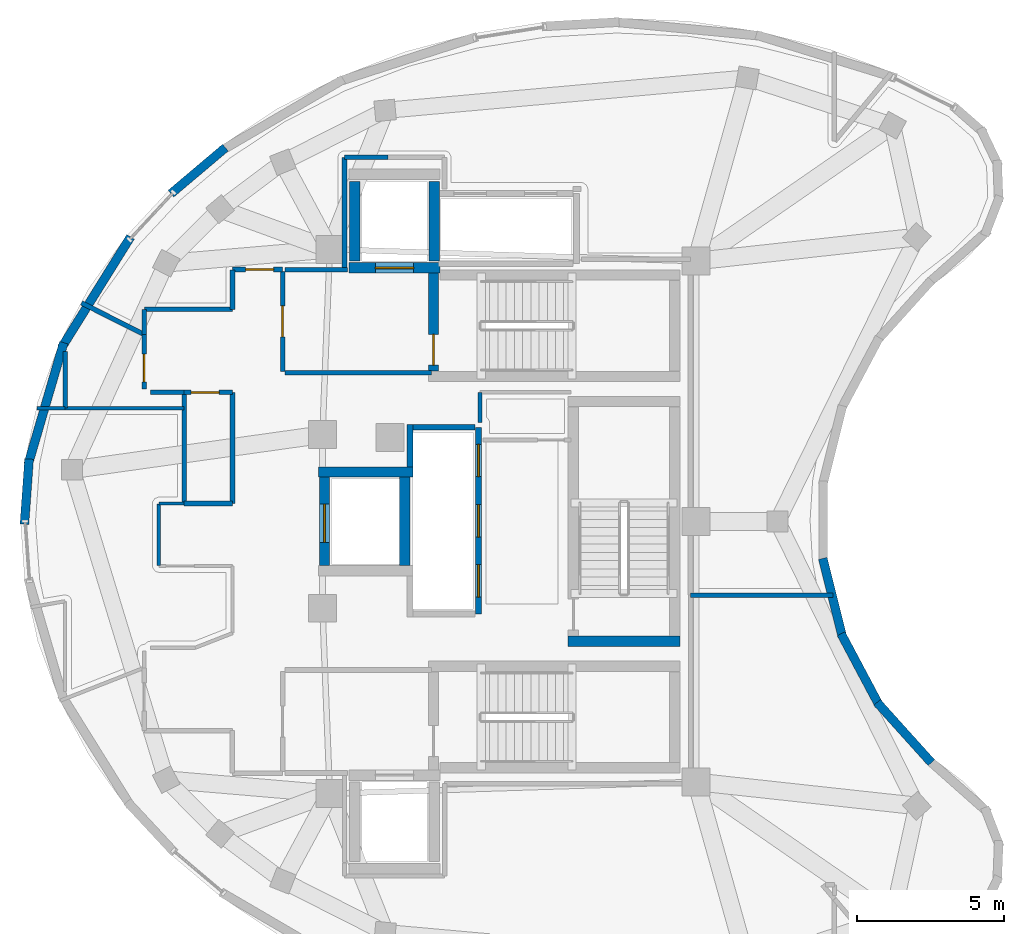
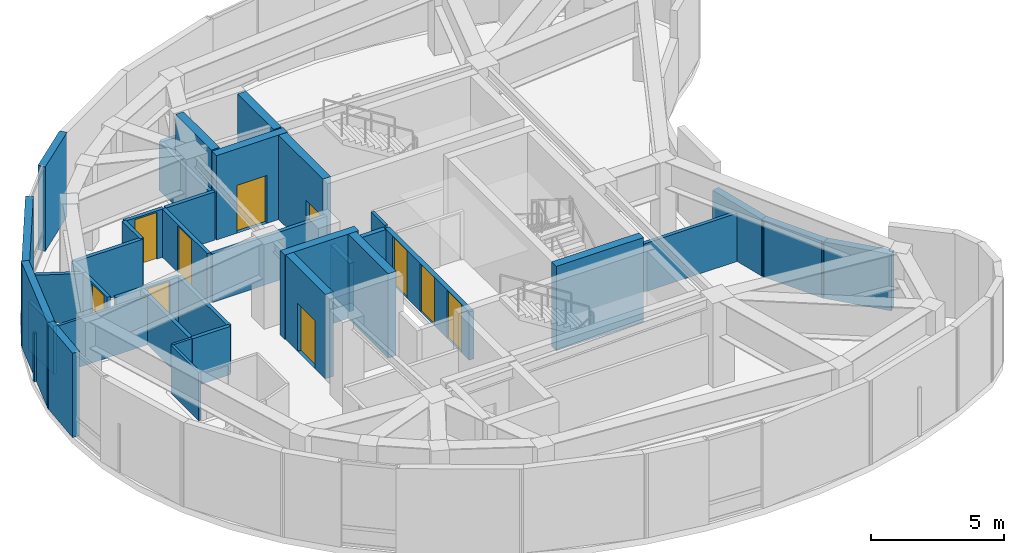
# One storey, part 4 of 8: 41 walls, 10 doors, 10 openings.
"""IFC4 building model written with IfcOpenShell, lengths in metres."""

from ifc_helpers import new_model, si_unit, direction, frame, frame_2d, origin, place, context, subcontext, project, spatial, rectangle, extrude, material, layer, layer_set, type_object, element, fill, save


model = new_model("IFC4")

# Units and contexts
model_context = context("Model", 3, precision=1e-05, world=origin(), true_north=direction((0.0, 1.0)))
body_context = subcontext(model_context, "Body", "Model", "MODEL_VIEW")
ifc_project = project(units=[si_unit("LENGTHUNIT", "METRE"), si_unit("AREAUNIT", "SQUARE_METRE"), si_unit("VOLUMEUNIT", "CUBIC_METRE"), si_unit("PLANEANGLEUNIT", "RADIAN"), si_unit("MASSUNIT", "GRAM", prefix="KILO")], contexts=[model_context])

# Site, building, storey
site_placement = place(None, origin())
site = spatial("IfcSite", under=ifc_project, at=site_placement, CompositionType="ELEMENT")
building_placement = place(site_placement, origin())
building = spatial("IfcBuilding", under=site, at=building_placement, Name="Korentha Bioscience Tower", CompositionType="ELEMENT")
storey_placement = place(building_placement, frame((0.0, 0.0, 331.199951171875)))
storey = spatial("IfcBuildingStorey", under=building, at=storey_placement, Name="L76", CompositionType="ELEMENT", Elevation=331.199951171875)

# Wall, opening, door
ifc_material_1 = material(Name="Double-Stud Acoustic Gypsum", Category="gypsum")
ifc_layer_1 = layer(ifc_material_1, 0.14990234375, Name="Double-Stud Acoustic Gypsum")
ifc_layer_set_1 = layer_set([ifc_layer_1], Name="Double-Stud Acoustic Gypsum (IW-L150)")
wall_type_1 = type_object("IfcWallType", Name="Acoustic Laboratory Partition Wall 150", PredefinedType="PARTITIONING", material=ifc_layer_set_1)
wall_1_placement = place(storey_placement, frame((18.7900390625, 33.34912109375, 0.0), z_axis=(0.0, 0.0, 1.0), x_axis=(0.0, -1.0, 0.0)))
wall_1 = element("IfcWall", 1, at=wall_1_placement, inside=storey, type_object=wall_type_1, Name="L76 Biomechanical Motion Analysis Lab 04 Entrance Wall", PredefinedType="PARTITIONING", context=body_context, shape_type="SweptSolid", body=[
    extrude(rectangle(XDim=1.84912109375, YDim=0.14990234375, at=frame_2d((0.924560546875, 0.0))), origin(), (0.0, 0.0, 1.0), 2.219970703125),
])
opening_1_placement = place(wall_1_placement, frame((0.658935546875, 0.0, 0.0)))
opening_1 = element("IfcOpeningElement", 2, at=opening_1_placement, cuts=wall_1, Name="Opening ID-10R", PredefinedType="OPENING", context=body_context, shape_type="SweptSolid", body=[
    extrude(rectangle(XDim=0.949951171875, YDim=2.14990234375, at=frame_2d((0.47509765625, 1.074951171875))), frame((0.0, 0.08984375, 0.0), z_axis=(0.0, -1.0, 0.0), x_axis=(1.0, 0.0, 0.0)), (0.0, 0.0, 1.0), 0.1796875),
])
ifc_material_2 = material(Name="Phenolic Laminate Timber Core", Category="wood")
door_type_1 = type_object("IfcDoorType", Name="Laboratory Single Leaf Door 950x2150 Right", OperationType="SINGLE_SWING_RIGHT", PredefinedType="DOOR", material=ifc_material_2)
door_1_placement = place(opening_1_placement, origin())
door_1 = element("IfcDoor", 3, at=door_1_placement, inside=storey, type_object=door_type_1, Name="L76 Biomechanical Motion Analysis Lab 04 Door", OperationType="SINGLE_SWING_RIGHT", OverallHeight=2.14990234375, OverallWidth=0.949951171875, PredefinedType="DOOR", context=body_context, shape_type="SweptSolid", body=[
    extrude(rectangle(XDim=0.949951171875, YDim=2.14990234375, at=frame_2d((0.47509765625, 1.074951171875))), frame((0.0, 0.02490234375, 0.0), z_axis=(0.0, -1.0, 0.0), x_axis=(1.0, 0.0, 0.0)), (0.0, 0.0, 1.0), 0.050048828125),
])
fill(opening_1, door_1)

# Walls
wall_2_placement = place(storey_placement, frame((37.360107421875, 24.498046875, 0.0), z_axis=(0.0, 0.0, 1.0), x_axis=(1.0, 0.0, 0.0)))
element("IfcWall", 4, at=wall_2_placement, inside=storey, type_object=wall_type_1, Name="L76 Interior Partition 030", PredefinedType="PARTITIONING", context=body_context, shape_type="SweptSolid", body=[
    extrude(rectangle(XDim=4.84765625, YDim=0.14990234375, at=frame_2d((2.423828125, 0.0))), origin(), (0.0, 0.0, 1.0), 2.219970703125),
])
wall_3_placement = place(storey_placement, frame((19.0, 31.389892578125, 0.0), z_axis=(0.0, 0.0, 1.0), x_axis=(1.0, 0.0, 0.0)))
element("IfcWall", 5, at=wall_3_placement, inside=storey, type_object=wall_type_1, Name="L76 Interior Partition 052", PredefinedType="PARTITIONING", context=body_context, shape_type="SweptSolid", body=[
    extrude(rectangle(XDim=1.139892578125, YDim=0.14990234375, at=frame_2d((0.56982421875, 0.0))), origin(), (0.0, 0.0, 1.0), 2.219970703125),
])
wall_4_placement = place(storey_placement, frame((16.10205078125, 30.85791015625, 0.0), z_axis=(0.0, 0.0, 1.0), x_axis=(0.0, 1.0, 0.0)))
element("IfcWall", 6, at=wall_4_placement, inside=storey, type_object=wall_type_1, Name="L76 Interior Partition 053", PredefinedType="PARTITIONING", context=body_context, shape_type="SweptSolid", body=[
    extrude(rectangle(XDim=1.91552734375, YDim=0.14990234375, at=frame_2d((0.957763671875, 0.0))), origin(), (0.0, 0.0, 1.0), 2.219970703125),
])
ifc_material_3 = material(Name="Fire-Rated Framed Glass", Category="glass")
ifc_layer_2 = layer(ifc_material_3, 0.110107421875, Name="Fire-Rated Framed Glass")
ifc_layer_set_2 = layer_set([ifc_layer_2], Name="Fire-Rated Framed Glass (IW-G110)")
wall_type_2 = type_object("IfcWallType", Name="Demountable Glazed Office Partition 110", PredefinedType="MOVABLE", material=ifc_layer_set_2)
wall_5_placement = place(storey_placement, frame((15.151611328125, 30.847900390625, 0.0), z_axis=(0.0, 0.0, 1.0), x_axis=(1.0, 0.0, 0.0)))
element("IfcWall", 7, at=wall_5_placement, inside=storey, type_object=wall_type_2, Name="L76 Interior Partition 013", PredefinedType="MOVABLE", context=body_context, shape_type="SweptSolid", body=[
    extrude(rectangle(XDim=0.9462890625, YDim=0.110107421875, at=frame_2d((0.47314453125, 0.0))), origin(), (0.0, 0.0, 1.0), 2.219970703125),
])
wall_6_placement = place(storey_placement, frame((16.10205078125, 30.847900390625, 0.0), z_axis=(0.0, 0.0, 1.0), x_axis=(1.0, 0.0, 0.0)))
element("IfcWall", 8, at=wall_6_placement, inside=storey, type_object=wall_type_2, Name="L76 Interior Partition 014", PredefinedType="MOVABLE", context=body_context, shape_type="SweptSolid", body=[
    extrude(rectangle(XDim=4.037841796875, YDim=0.110107421875, at=frame_2d((2.01904296875, 0.0))), origin(), (0.0, 0.0, 1.0), 2.219970703125),
])
wall_7_placement = place(storey_placement, frame((20.139892578125, 27.610107421875, 0.0), z_axis=(0.0, 0.0, 1.0), x_axis=(-1.0, 0.0, 0.0)))
element("IfcWall", 9, at=wall_7_placement, inside=storey, type_object=wall_type_2, Name="L76 Interior Partition 015", PredefinedType="MOVABLE", context=body_context, shape_type="SweptSolid", body=[
    extrude(rectangle(XDim=0.83984375, YDim=0.110107421875, at=frame_2d((0.419921875, 0.0))), origin(), (0.0, 0.0, 1.0), 2.219970703125),
])
wall_8_placement = place(storey_placement, frame((19.2900390625, 27.60009765625, 0.0), z_axis=(0.0, 0.0, 1.0), x_axis=(0.0, -1.0, 0.0)))
element("IfcWall", 10, at=wall_8_placement, inside=storey, type_object=wall_type_2, Name="L76 Interior Partition 016", PredefinedType="MOVABLE", context=body_context, shape_type="SweptSolid", body=[
    extrude(rectangle(XDim=2.10009765625, YDim=0.110107421875, at=frame_2d((1.050048828125, 0.0))), origin(), (0.0, 0.0, 1.0), 2.219970703125),
])

# Wall, opening, door
ifc_material_4 = material(Name="Gypsum-Clad Steel Stud", Category="steel")
ifc_layer_3 = layer(ifc_material_4, 0.159912109375, Name="Gypsum-Clad Steel Stud")
ifc_layer_set_3 = layer_set([ifc_layer_3], Name="Gypsum-Clad Steel Stud (IW-C160)")
wall_type_3 = type_object("IfcWallType", Name="Fire-Rated Corridor Partition Wall 160", PredefinedType="PARTITIONING", material=ifc_layer_set_3)
wall_9_placement = place(storey_placement, frame((23.5, 32.10009765625, 0.0), z_axis=(0.0, 0.0, 1.0), x_axis=(0.0, 1.0, 0.0)))
wall_9 = element("IfcWall", 11, at=wall_9_placement, inside=storey, type_object=wall_type_3, Name="L76 FFLN-CW Rated Enclosure Wall", PredefinedType="PARTITIONING", context=body_context, shape_type="SweptSolid", body=[
    extrude(rectangle(XDim=3.39990234375, YDim=0.159912109375, at=frame_2d((1.699951171875, 0.0))), origin(), (0.0, 0.0, 1.0), 2.219970703125),
])
opening_2_placement = place(wall_9_placement, frame((1.175048828125, 0.0, 0.0)))
opening_2 = element("IfcOpeningElement", 12, at=opening_2_placement, cuts=wall_9, Name="Opening FD-90L", PredefinedType="OPENING", context=body_context, shape_type="SweptSolid", body=[
    extrude(rectangle(XDim=1.050048828125, YDim=2.14990234375, at=frame_2d((0.52490234375, 1.074951171875))), frame((0.0, 0.0947265625, 0.0), z_axis=(0.0, -1.0, 0.0), x_axis=(1.0, 0.0, 0.0)), (0.0, 0.0, 1.0), 0.189697265625),
])
ifc_material_5 = material(Name="Powder-Coated Fire-Rated Steel", Category="steel")
door_type_2 = type_object("IfcDoorType", Name="Stairwell Fire Exit Door 1050x2150 Left", OperationType="SINGLE_SWING_LEFT", PredefinedType="DOOR", material=ifc_material_5)
door_2_placement = place(opening_2_placement, origin())
door_2 = element("IfcDoor", 13, at=door_2_placement, inside=storey, type_object=door_type_2, Name="L76 North Firefighting Lobby Door", OperationType="SINGLE_SWING_LEFT", OverallHeight=2.14990234375, OverallWidth=1.050048828125, PredefinedType="DOOR", context=body_context, shape_type="SweptSolid", body=[
    extrude(rectangle(XDim=1.050048828125, YDim=2.14990234375, at=frame_2d((0.52490234375, 1.074951171875))), frame((0.0, 0.02490234375, 0.0), z_axis=(0.0, -1.0, 0.0), x_axis=(1.0, 0.0, 0.0)), (0.0, 0.0, 1.0), 0.050048828125),
])
fill(opening_2, door_2)

# Walls
wall_10_placement = place(storey_placement, frame((23.580078125, 32.050048828125, 0.0), z_axis=(0.0, 0.0, 1.0), x_axis=(1.0, 0.0, 0.0)))
element("IfcWall", 14, at=wall_10_placement, inside=storey, type_object=wall_type_3, Name="L76 Firefighting Lobby Return Wall FFLN-S", PredefinedType="PARTITIONING", context=body_context, shape_type="SweptSolid", body=[
    extrude(rectangle(XDim=4.969970703125, YDim=0.159912109375, at=frame_2d((2.48486328125, 0.0))), origin(), (0.0, 0.0, 1.0), 2.219970703125),
])
wall_11_placement = place(storey_placement, frame((23.580078125, 35.550048828125, 0.0), z_axis=(0.0, 0.0, 1.0), x_axis=(1.0, 0.0, 0.0)))
element("IfcWall", 15, at=wall_11_placement, inside=storey, type_object=wall_type_3, Name="L76 Firefighting Lobby Return Wall FFLN-N", PredefinedType="PARTITIONING", context=body_context, shape_type="SweptSolid", body=[
    extrude(rectangle(XDim=2.119873046875, YDim=0.159912109375, at=frame_2d((1.06005859375, 0.0))), origin(), (0.0, 0.0, 1.0), 2.219970703125),
])

# Wall, opening, door
wall_12_placement = place(storey_placement, frame((20.14990234375, 31.389892578125, 0.0), z_axis=(0.0, 0.0, 1.0), x_axis=(1.0, 0.0, 0.0)))
wall_12 = element("IfcWall", 16, at=wall_12_placement, inside=storey, type_object=wall_type_3, Name="L76 Reclaimed Bank-2 Telecoms and Data Store Entrance Wall", PredefinedType="PARTITIONING", context=body_context, shape_type="SweptSolid", body=[
    extrude(rectangle(XDim=1.64013671875, YDim=0.159912109375, at=frame_2d((0.820068359375, 0.0))), origin(), (0.0, 0.0, 1.0), 2.219970703125),
])
opening_3_placement = place(wall_12_placement, frame((0.239990234375, 0.0, 0.0)))
opening_3 = element("IfcOpeningElement", 17, at=opening_3_placement, cuts=wall_12, Name="Opening ID-10R", PredefinedType="OPENING", context=body_context, shape_type="SweptSolid", body=[
    extrude(rectangle(XDim=0.949951171875, YDim=2.14990234375, at=frame_2d((0.47509765625, 1.074951171875))), frame((0.0, 0.0947265625, 0.0), z_axis=(0.0, -1.0, 0.0), x_axis=(1.0, 0.0, 0.0)), (0.0, 0.0, 1.0), 0.189697265625),
])
door_3_placement = place(opening_3_placement, origin())
door_3 = element("IfcDoor", 18, at=door_3_placement, inside=storey, type_object=door_type_1, Name="L76 Reclaimed Bank-2 Telecoms and Data Store Door", OperationType="SINGLE_SWING_RIGHT", OverallHeight=2.14990234375, OverallWidth=0.949951171875, PredefinedType="DOOR", context=body_context, shape_type="SweptSolid", body=[
    extrude(rectangle(XDim=0.949951171875, YDim=2.14990234375, at=frame_2d((0.47509765625, 1.074951171875))), frame((0.0, 0.02490234375, 0.0), z_axis=(0.0, -1.0, 0.0), x_axis=(1.0, 0.0, 0.0)), (0.0, 0.0, 1.0), 0.050048828125),
])
fill(opening_3, door_3)

wall_13_placement = place(storey_placement, frame((23.489990234375, 35.56005859375, 0.0), z_axis=(0.0, 0.0, 1.0), x_axis=(-1.0, 0.0, 0.0)))
wall_13 = element("IfcWall", 19, at=wall_13_placement, inside=storey, type_object=wall_type_3, Name="L76 Biospecimen Archive Store 03 Entrance Wall", PredefinedType="PARTITIONING", context=body_context, shape_type="SweptSolid", body=[
    extrude(rectangle(XDim=1.68994140625, YDim=0.159912109375, at=frame_2d((0.844970703125, 0.0))), origin(), (0.0, 0.0, 1.0), 2.219970703125),
])
opening_4_placement = place(wall_13_placement, frame((0.301513671875, 0.0, 0.0)))
opening_4 = element("IfcOpeningElement", 20, at=opening_4_placement, cuts=wall_13, Name="Opening ID-10L", PredefinedType="OPENING", context=body_context, shape_type="SweptSolid", body=[
    extrude(rectangle(XDim=0.949951171875, YDim=2.14990234375, at=frame_2d((0.47509765625, 1.074951171875))), frame((0.0, 0.0947265625, 0.0), z_axis=(0.0, -1.0, 0.0), x_axis=(1.0, 0.0, 0.0)), (0.0, 0.0, 1.0), 0.189697265625),
])
door_type_3 = type_object("IfcDoorType", Name="Laboratory Single Leaf Door 950x2150 Left", OperationType="SINGLE_SWING_LEFT", PredefinedType="DOOR", material=ifc_material_2)
door_4_placement = place(opening_4_placement, origin())
door_4 = element("IfcDoor", 21, at=door_4_placement, inside=storey, type_object=door_type_3, Name="L76 Biospecimen Archive Store 03 Door", OperationType="SINGLE_SWING_LEFT", OverallHeight=2.14990234375, OverallWidth=0.949951171875, PredefinedType="DOOR", context=body_context, shape_type="SweptSolid", body=[
    extrude(rectangle(XDim=0.949951171875, YDim=2.14990234375, at=frame_2d((0.47509765625, 1.074951171875))), frame((0.0, 0.02490234375, 0.0), z_axis=(0.0, -1.0, 0.0), x_axis=(1.0, 0.0, 0.0)), (0.0, 0.0, 1.0), 0.050048828125),
])
fill(opening_4, door_4)

# Walls
wall_14_placement = place(storey_placement, frame((21.7900390625, 31.389892578125, 0.0), z_axis=(0.0, 0.0, 1.0), x_axis=(0.0, -1.0, 0.0)))
element("IfcWall", 22, at=wall_14_placement, inside=storey, type_object=wall_type_3, Name="L76 Interior Partition 010", PredefinedType="PARTITIONING", context=body_context, shape_type="SweptSolid", body=[
    extrude(rectangle(XDim=3.77978515625, YDim=0.159912109375, at=frame_2d((1.889892578125, 0.0))), origin(), (0.0, 0.0, 1.0), 2.219970703125),
])
wall_15_placement = place(storey_placement, frame((21.7900390625, 27.610107421875, 0.0), z_axis=(0.0, 0.0, 1.0), x_axis=(-1.0, 0.0, 0.0)))
element("IfcWall", 23, at=wall_15_placement, inside=storey, type_object=wall_type_3, Name="L76 Interior Partition 011", PredefinedType="PARTITIONING", context=body_context, shape_type="SweptSolid", body=[
    extrude(rectangle(XDim=1.64013671875, YDim=0.159912109375, at=frame_2d((0.820068359375, 0.0))), origin(), (0.0, 0.0, 1.0), 2.219970703125),
])
wall_16_placement = place(storey_placement, frame((20.14990234375, 27.610107421875, 0.0), z_axis=(0.0, 0.0, 1.0), x_axis=(0.0, 1.0, 0.0)))
element("IfcWall", 24, at=wall_16_placement, inside=storey, type_object=wall_type_3, Name="L76 Interior Partition 012", PredefinedType="PARTITIONING", context=body_context, shape_type="SweptSolid", body=[
    extrude(rectangle(XDim=3.77978515625, YDim=0.159912109375, at=frame_2d((1.889892578125, 0.0))), origin(), (0.0, 0.0, 1.0), 2.219970703125),
])
wall_17_placement = place(storey_placement, frame((27.073486328125, 39.3798828125, 0.0), z_axis=(0.0, 0.0, 1.0), x_axis=(-1.0, 0.0, 0.0)))
element("IfcWall", 25, at=wall_17_placement, inside=storey, type_object=wall_type_3, Name="L76 Interior Partition 046", PredefinedType="PARTITIONING", context=body_context, shape_type="SweptSolid", body=[
    extrude(rectangle(XDim=1.469482421875, YDim=0.159912109375, at=frame_2d((0.73486328125, 0.0))), origin(), (0.0, 0.0, 1.0), 2.219970703125),
])
wall_18_placement = place(storey_placement, frame((25.60009765625, 39.3759765625, 0.0), z_axis=(0.0, 0.0, 1.0), x_axis=(0.0, -1.0, 0.0)))
element("IfcWall", 26, at=wall_18_placement, inside=storey, type_object=wall_type_3, Name="L76 Interior Partition 047", PredefinedType="PARTITIONING", context=body_context, shape_type="SweptSolid", body=[
    extrude(rectangle(XDim=3.811767578125, YDim=0.159912109375, at=frame_2d((1.90576171875, 0.0))), origin(), (0.0, 0.0, 1.0), 2.219970703125),
])
wall_19_placement = place(storey_placement, frame((21.7900390625, 35.550048828125, 0.0), z_axis=(0.0, 0.0, 1.0), x_axis=(0.0, -1.0, 0.0)))
element("IfcWall", 27, at=wall_19_placement, inside=storey, type_object=wall_type_3, Name="L76 Interior Partition 048", PredefinedType="PARTITIONING", context=body_context, shape_type="SweptSolid", body=[
    extrude(rectangle(XDim=1.340087890625, YDim=0.159912109375, at=frame_2d((0.669921875, 0.0))), origin(), (0.0, 0.0, 1.0), 2.219970703125),
])
wall_20_placement = place(storey_placement, frame((21.7900390625, 34.2099609375, 0.0), z_axis=(0.0, 0.0, 1.0), x_axis=(-1.0, 0.0, 0.0)))
element("IfcWall", 28, at=wall_20_placement, inside=storey, type_object=wall_type_3, Name="L76 Interior Partition 049", PredefinedType="PARTITIONING", context=body_context, shape_type="SweptSolid", body=[
    extrude(rectangle(XDim=2.989990234375, YDim=0.159912109375, at=frame_2d((1.4951171875, 0.0))), origin(), (0.0, 0.0, 1.0), 2.219970703125),
])
wall_21_placement = place(storey_placement, frame((18.7900390625, 34.199951171875, 0.0), z_axis=(0.0, 0.0, 1.0), x_axis=(0.0, -1.0, 0.0)))
element("IfcWall", 29, at=wall_21_placement, inside=storey, type_object=wall_type_3, Name="L76 Interior Partition 050", PredefinedType="PARTITIONING", context=body_context, shape_type="SweptSolid", body=[
    extrude(rectangle(XDim=0.841064453125, YDim=0.159912109375, at=frame_2d((0.42041015625, 0.0))), origin(), (0.0, 0.0, 1.0), 2.219970703125),
])
wall_22_placement = place(storey_placement, frame((18.7900390625, 33.35888671875, 0.0), z_axis=(0.0, 0.0, 1.0), x_axis=(-0.894139633637, 0.447788248572, 0.0)))
element("IfcWall", 30, at=wall_22_placement, inside=storey, type_object=wall_type_3, Name="L76 Interior Partition 051", PredefinedType="PARTITIONING", context=body_context, shape_type="SweptSolid", body=[
    extrude(rectangle(XDim=2.378662109375, YDim=0.159912109375, at=frame_2d((1.189453125, 0.0))), origin(), (0.0, 0.0, 1.0), 2.219970703125),
])
ifc_material_6 = material(Name="Honed Limestone Precast Concrete C40", Category="masonry")
ifc_layer_4 = layer(ifc_material_6, 0.300048828125, Name="Honed Limestone Precast Concrete C40")
ifc_layer_set_4 = layer_set([ifc_layer_4], Name="Honed Limestone Precast Concrete C40 (EW-ST300)")
wall_type_4 = type_object("IfcWallType", Name="Honed Limestone Cavity Spandrel Wall 300", PredefinedType="STANDARD", material=ifc_layer_set_4)
wall_23_placement = place(storey_placement, frame((21.552001953125, 39.7041015625, 0.0), z_axis=(0.0, 0.0, 1.0), x_axis=(-0.763990157272, -0.645227897406, 0.0)))
element("IfcWall", 31, at=wall_23_placement, inside=storey, type_object=wall_type_4, Name="L76 Limestone Perimeter Closure Wall 12", PredefinedType="STANDARD", context=body_context, shape_type="SweptSolid", body=[
    extrude(rectangle(XDim=2.421630859375, YDim=0.300048828125, at=frame_2d((1.2109375, 0.0))), origin(), (0.0, 0.0, 1.0), 3.880126953125),
])
wall_24_placement = place(storey_placement, frame((18.327392578125, 36.67138671875, 0.0), z_axis=(0.0, 0.0, 1.0), x_axis=(-0.528532323195, -0.848913177739, 0.0)))
element("IfcWall", 32, at=wall_24_placement, inside=storey, type_object=wall_type_4, Name="L76 Limestone Perimeter Closure Wall 14", PredefinedType="STANDARD", context=body_context, shape_type="SweptSolid", body=[
    extrude(rectangle(XDim=4.446533203125, YDim=0.300048828125, at=frame_2d((2.22314453125, 0.0))), origin(), (0.0, 0.0, 1.0), 3.880126953125),
])
wall_25_placement = place(storey_placement, frame((16.057373046875, 33.076171875, 0.0), z_axis=(0.0, 0.0, 1.0), x_axis=(-0.280777958988, -0.95977275318, 0.0)))
element("IfcWall", 33, at=wall_25_placement, inside=storey, type_object=wall_type_4, Name="L76 Limestone Perimeter Closure Wall 16", PredefinedType="STANDARD", context=body_context, shape_type="SweptSolid", body=[
    extrude(rectangle(XDim=4.313720703125, YDim=0.300048828125, at=frame_2d((2.15673828125, 0.0))), origin(), (0.0, 0.0, 1.0), 3.880126953125),
])
wall_26_placement = place(storey_placement, frame((14.879638671875, 29.1220703125, 0.0), z_axis=(0.0, 0.0, 1.0), x_axis=(-0.071669526478, -0.997428433009, 0.0)))
element("IfcWall", 34, at=wall_26_placement, inside=storey, type_object=wall_type_4, Name="L76 Limestone Perimeter Closure Wall 18", PredefinedType="STANDARD", context=body_context, shape_type="SweptSolid", body=[
    extrude(rectangle(XDim=2.217529296875, YDim=0.300048828125, at=frame_2d((1.10888671875, 0.0))), origin(), (0.0, 0.0, 1.0), 3.880126953125),
])
for number, where, z_axis, x_axis, name in (
    (35, (45.54638671875, 18.801025390625, 0.0), (0.0, 0.0, 1.0), (-0.669140756205, 0.743135686389, 0.0), "L76 Limestone Perimeter Closure Wall 43"),
    (36, (43.772216796875, 20.748779296875, 0.0), (0.0, 0.0, 1.0), (-0.46944856532, 0.882959820444, 0.0), "L76 Limestone Perimeter Closure Wall 45"),
):
    element("IfcWall", number, at=place(storey_placement, frame(where, z_axis=z_axis, x_axis=x_axis)), inside=storey, type_object=wall_type_4, Name=name, PredefinedType="STANDARD", context=body_context, shape_type="SweptSolid", body=[
        extrude(rectangle(XDim=2.75830078125, YDim=0.300048828125, at=frame_2d((1.379150390625, 0.0))), origin(), (0.0, 0.0, 1.0), 2.60498046875),
    ])
wall_27_placement = place(storey_placement, frame((42.52197265625, 23.068115234375, 0.0), z_axis=(0.0, 0.0, 1.0), x_axis=(-0.241973315743, 0.970282904347, 0.0)))
element("IfcWall", 37, at=wall_27_placement, inside=storey, type_object=wall_type_4, Name="L76 Limestone Perimeter Closure Wall 47", PredefinedType="STANDARD", context=body_context, shape_type="SweptSolid", body=[
    extrude(rectangle(XDim=2.758544921875, YDim=0.300048828125, at=frame_2d((1.37939453125, 0.0))), origin(), (0.0, 0.0, 1.0), 2.60498046875),
])
ifc_material_7 = material(Name="Autoclaved Aerated Concrete Block C25", Category="concrete")
ifc_layer_5 = layer(ifc_material_7, 0.199951171875, Name="Autoclaved Aerated Concrete Block C25")
ifc_layer_set_5 = layer_set([ifc_layer_5], Name="Autoclaved Aerated Concrete Block C25 (IW-S200)")
wall_type_5 = type_object("IfcWallType", Name="Lift and Riser Shaft Enclosure Wall 200", PredefinedType="PARTITIONING", material=ifc_layer_set_5)
wall_28_placement = place(storey_placement, frame((27.830078125, 28.85888671875, 0.0), z_axis=(0.0, 0.0, 1.0), x_axis=(0.0, 1.0, 0.0)))
element("IfcWall", 38, at=wall_28_placement, inside=storey, type_object=wall_type_5, Name="L76 Lift Bank HIGH Shaft Wall -XN", PredefinedType="PARTITIONING", context=body_context, shape_type="SweptSolid", body=[
    extrude(rectangle(XDim=1.441162109375, YDim=0.199951171875, at=frame_2d((0.720703125, 0.0))), origin(), (0.0, 0.0, 1.0), 2.219970703125),
])

# Wall, openings, doors
wall_29_placement = place(storey_placement, frame((30.14990234375, 23.85009765625, 0.0), z_axis=(0.0, 0.0, 1.0), x_axis=(0.0, 1.0, 0.0)))
wall_29 = element("IfcWall", 39, at=wall_29_placement, inside=storey, type_object=wall_type_5, Name="L76 Lift Bank HIGH Shaft Wall +X", PredefinedType="PARTITIONING", context=body_context, shape_type="SweptSolid", body=[
    extrude(rectangle(XDim=6.349853515625, YDim=0.199951171875, at=frame_2d((3.1748046875, 0.0))), origin(), (0.0, 0.0, 1.0), 2.219970703125),
])
opening_5_placement = place(wall_29_placement, frame((0.580078125, 0.0, 0.0)))
opening_5 = element("IfcOpeningElement", 40, at=opening_5_placement, cuts=wall_29, Name="Opening LD-11", PredefinedType="OPENING", context=body_context, shape_type="SweptSolid", body=[
    extrude(rectangle(XDim=1.10009765625, YDim=2.199951171875, at=frame_2d((0.550048828125, 1.10009765625))), frame((0.0, 0.11474609375, 0.0), z_axis=(0.0, -1.0, 0.0), x_axis=(1.0, 0.0, 0.0)), (0.0, 0.0, 1.0), 0.229736328125),
])
opening_6_placement = place(wall_29_placement, frame((2.6201171875, 0.0, 0.0)))
opening_6 = element("IfcOpeningElement", 41, at=opening_6_placement, cuts=wall_29, Name="Opening LD-11", PredefinedType="OPENING", context=body_context, shape_type="SweptSolid", body=[
    extrude(rectangle(XDim=1.10009765625, YDim=2.199951171875, at=frame_2d((0.550048828125, 1.10009765625))), frame((0.0, 0.11474609375, 0.0), z_axis=(0.0, -1.0, 0.0), x_axis=(1.0, 0.0, 0.0)), (0.0, 0.0, 1.0), 0.229736328125),
])
opening_7_placement = place(wall_29_placement, frame((4.669921875, 0.0, 0.0)))
opening_7 = element("IfcOpeningElement", 42, at=opening_7_placement, cuts=wall_29, Name="Opening LD-11", PredefinedType="OPENING", context=body_context, shape_type="SweptSolid", body=[
    extrude(rectangle(XDim=1.10009765625, YDim=2.199951171875, at=frame_2d((0.550048828125, 1.10009765625))), frame((0.0, 0.11474609375, 0.0), z_axis=(0.0, -1.0, 0.0), x_axis=(1.0, 0.0, 0.0)), (0.0, 0.0, 1.0), 0.229736328125),
])
ifc_material_8 = material(Name="Brushed Stainless Steel 304", Category="steel")
door_type_4 = type_object("IfcDoorType", Name="Passenger Lift Sliding Landing Door 1100x2200", OperationType="DOUBLE_DOOR_SLIDING", PredefinedType="DOOR", material=ifc_material_8)
door_5_placement = place(opening_5_placement, origin())
door_5 = element("IfcDoor", 43, at=door_5_placement, inside=storey, type_object=door_type_4, Name="L76 PL-H1 Sliding Lift Landing Door", OperationType="DOUBLE_DOOR_SLIDING", OverallHeight=2.199951171875, OverallWidth=1.10009765625, PredefinedType="DOOR", context=body_context, shape_type="SweptSolid", body=[
    extrude(rectangle(XDim=1.10009765625, YDim=2.199951171875, at=frame_2d((0.550048828125, 1.10009765625))), frame((0.0, 0.02490234375, 0.0), z_axis=(0.0, -1.0, 0.0), x_axis=(1.0, 0.0, 0.0)), (0.0, 0.0, 1.0), 0.050048828125),
])
fill(opening_5, door_5)
door_6_placement = place(opening_6_placement, origin())
door_6 = element("IfcDoor", 44, at=door_6_placement, inside=storey, type_object=door_type_4, Name="L76 PL-H2 Sliding Lift Landing Door", OperationType="DOUBLE_DOOR_SLIDING", OverallHeight=2.199951171875, OverallWidth=1.10009765625, PredefinedType="DOOR", context=body_context, shape_type="SweptSolid", body=[
    extrude(rectangle(XDim=1.10009765625, YDim=2.199951171875, at=frame_2d((0.550048828125, 1.10009765625))), frame((0.0, 0.02490234375, 0.0), z_axis=(0.0, -1.0, 0.0), x_axis=(1.0, 0.0, 0.0)), (0.0, 0.0, 1.0), 0.050048828125),
])
fill(opening_6, door_6)
door_7_placement = place(opening_7_placement, origin())
door_7 = element("IfcDoor", 45, at=door_7_placement, inside=storey, type_object=door_type_4, Name="L76 PL-H3 Sliding Lift Landing Door", OperationType="DOUBLE_DOOR_SLIDING", OverallHeight=2.199951171875, OverallWidth=1.10009765625, PredefinedType="DOOR", context=body_context, shape_type="SweptSolid", body=[
    extrude(rectangle(XDim=1.10009765625, YDim=2.199951171875, at=frame_2d((0.550048828125, 1.10009765625))), frame((0.0, 0.02490234375, 0.0), z_axis=(0.0, -1.0, 0.0), x_axis=(1.0, 0.0, 0.0)), (0.0, 0.0, 1.0), 0.050048828125),
])
fill(opening_7, door_7)

# Wall
wall_30_placement = place(storey_placement, frame((27.93408203125, 30.199951171875, 0.0), z_axis=(0.0, 0.0, 1.0), x_axis=(1.0, 0.0, 0.0)))
element("IfcWall", 46, at=wall_30_placement, inside=storey, type_object=wall_type_5, Name="L76 Lift Bank HIGH Shaft Wall +Y", PredefinedType="PARTITIONING", context=body_context, shape_type="SweptSolid", body=[
    extrude(rectangle(XDim=2.095947265625, YDim=0.199951171875, at=frame_2d((1.0478515625, 0.0))), origin(), (0.0, 0.0, 1.0), 2.219970703125),
])

# Wall, opening, door
ifc_material_9 = material(Name="Concrete C50", Category="concrete")
ifc_layer_6 = layer(ifc_material_9, 0.35009765625, Name="Concrete C50")
ifc_layer_set_6 = layer_set([ifc_layer_6], Name="Concrete C50 (CW-C50)")
wall_type_6 = type_object("IfcWallType", Name="Upper Core Shear Wall 350", PredefinedType="SHEAR", material=ifc_layer_set_6)
wall_31_placement = place(storey_placement, frame((28.625, 32.110107421875, 0.0), z_axis=(0.0, 0.0, 1.0), x_axis=(0.0, 1.0, 0.0)))
wall_31 = element("IfcWall", 47, at=wall_31_placement, inside=storey, type_object=wall_type_6, Name="L76 Core Shear Wall ST1-W", PredefinedType="SHEAR", context=body_context, shape_type="SweptSolid", body=[
    extrude(rectangle(XDim=3.3330078125, YDim=0.35009765625, at=frame_2d((1.66650390625, 0.0))), origin(), (0.0, 0.0, 1.0), 3.880126953125),
])
opening_8_placement = place(wall_31_placement, frame((0.199951171875, 0.0, 0.0)))
opening_8 = element("IfcOpeningElement", 48, at=opening_8_placement, cuts=wall_31, Name="Opening FD-90L", PredefinedType="OPENING", context=body_context, shape_type="SweptSolid", body=[
    extrude(rectangle(XDim=1.050048828125, YDim=2.14990234375, at=frame_2d((0.52490234375, 1.074951171875))), frame((0.0, 0.18994140625, 0.0), z_axis=(0.0, -1.0, 0.0), x_axis=(1.0, 0.0, 0.0)), (0.0, 0.0, 1.0), 0.3798828125),
])
door_8_placement = place(opening_8_placement, origin())
door_8 = element("IfcDoor", 49, at=door_8_placement, inside=storey, type_object=door_type_2, Name="L76 ST-1 Fire Exit Stair Door", OperationType="SINGLE_SWING_LEFT", OverallHeight=2.14990234375, OverallWidth=1.050048828125, PredefinedType="DOOR", context=body_context, shape_type="SweptSolid", body=[
    extrude(rectangle(XDim=1.050048828125, YDim=2.14990234375, at=frame_2d((0.52490234375, 1.074951171875))), frame((0.0, 0.02490234375, 0.0), z_axis=(0.0, -1.0, 0.0), x_axis=(1.0, 0.0, 0.0)), (0.0, 0.0, 1.0), 0.050048828125),
])
fill(opening_8, door_8)

# Wall
wall_32_placement = place(storey_placement, frame((33.199951171875, 22.925048828125, 0.0), z_axis=(0.0, 0.0, 1.0), x_axis=(1.0, 0.0, 0.0)))
element("IfcWall", 50, at=wall_32_placement, inside=storey, type_object=wall_type_6, Name="L76 Core Shear Wall ST3-S", PredefinedType="SHEAR", context=body_context, shape_type="SweptSolid", body=[
    extrude(rectangle(XDim=3.800048828125, YDim=0.35009765625, at=frame_2d((1.89990234375, 0.0))), origin(), (0.0, 0.0, 1.0), 3.880126953125),
])

# Wall, opening, door
wall_33_placement = place(storey_placement, frame((25.75, 35.6201171875, 0.0), z_axis=(0.0, 0.0, 1.0), x_axis=(1.0, 0.0, 0.0)))
wall_33 = element("IfcWall", 51, at=wall_33_placement, inside=storey, type_object=wall_type_6, Name="L76 Core Shear Wall FFL2-S", PredefinedType="SHEAR", context=body_context, shape_type="SweptSolid", body=[
    extrude(rectangle(XDim=3.10009765625, YDim=0.35009765625, at=frame_2d((1.550048828125, 0.0))), origin(), (0.0, 0.0, 1.0), 3.880126953125),
])
opening_9_placement = place(wall_33_placement, frame((0.89990234375, 0.0, 0.0)))
opening_9 = element("IfcOpeningElement", 52, at=opening_9_placement, cuts=wall_33, Name="Opening LD-13", PredefinedType="OPENING", context=body_context, shape_type="SweptSolid", body=[
    extrude(rectangle(XDim=1.300048828125, YDim=2.199951171875, at=frame_2d((0.64990234375, 1.10009765625))), frame((0.0, 0.18994140625, 0.0), z_axis=(0.0, -1.0, 0.0), x_axis=(1.0, 0.0, 0.0)), (0.0, 0.0, 1.0), 0.3798828125),
])
ifc_material_10 = material(Name="Brushed Stainless Steel 316", Category="steel")
door_type_5 = type_object("IfcDoorType", Name="Service & Firefighting Lift Landing Door 1300x2300", OperationType="DOUBLE_DOOR_SLIDING", PredefinedType="DOOR", material=ifc_material_10)
door_9_placement = place(opening_9_placement, origin())
door_9 = element("IfcDoor", 53, at=door_9_placement, inside=storey, type_object=door_type_5, Name="L76 FFL-2 Sliding Lift Landing Door", OperationType="DOUBLE_DOOR_SLIDING", OverallHeight=2.199951171875, OverallWidth=1.300048828125, PredefinedType="DOOR", context=body_context, shape_type="SweptSolid", body=[
    extrude(rectangle(XDim=1.300048828125, YDim=2.199951171875, at=frame_2d((0.64990234375, 1.10009765625))), frame((0.0, 0.02490234375, 0.0), z_axis=(0.0, -1.0, 0.0), x_axis=(1.0, 0.0, 0.0)), (0.0, 0.0, 1.0), 0.050048828125),
])
fill(opening_9, door_9)

# Walls
for number, where, z_axis, x_axis, name in (
    (54, (25.949951171875, 35.860107421875, 0.0), (0.0, 0.0, 1.0), (0.0, 1.0, 0.0), "L76 Core Shear Wall FFL2-W"),
    (55, (28.64990234375, 35.860107421875, 0.0), (0.0, 0.0, 1.0), (0.0, 1.0, 0.0), "L76 Core Shear Wall FFL2-E"),
):
    element("IfcWall", number, at=place(storey_placement, frame(where, z_axis=z_axis, x_axis=x_axis)), inside=storey, type_object=wall_type_6, Name=name, PredefinedType="SHEAR", context=body_context, shape_type="SweptSolid", body=[
        extrude(rectangle(XDim=2.699951171875, YDim=0.35009765625, at=frame_2d((1.35009765625, 0.0))), origin(), (0.0, 0.0, 1.0), 3.880126953125),
    ])
wall_34_placement = place(storey_placement, frame((24.719970703125, 28.679931640625, 0.0), z_axis=(0.0, 0.0, 1.0), x_axis=(1.0, 0.0, 0.0)))
element("IfcWall", 56, at=wall_34_placement, inside=storey, type_object=wall_type_6, Name="L76 Core Shear Wall SVL1-N", PredefinedType="SHEAR", context=body_context, shape_type="SweptSolid", body=[
    extrude(rectangle(XDim=3.2099609375, YDim=0.35009765625, at=frame_2d((1.60498046875, 0.0))), origin(), (0.0, 0.0, 1.0), 3.880126953125),
])

# Wall, opening, door
wall_35_placement = place(storey_placement, frame((24.919921875, 25.4970703125, 0.0), z_axis=(0.0, 0.0, 1.0), x_axis=(0.0, 1.0, 0.0)))
wall_35 = element("IfcWall", 57, at=wall_35_placement, inside=storey, type_object=wall_type_6, Name="L76 Core Shear Wall SVL1-W", PredefinedType="SHEAR", context=body_context, shape_type="SweptSolid", body=[
    extrude(rectangle(XDim=3.005859375, YDim=0.35009765625, at=frame_2d((1.5029296875, 0.0))), origin(), (0.0, 0.0, 1.0), 3.880126953125),
])
opening_10_placement = place(wall_35_placement, frame((0.7900390625, 0.0, 0.0)))
opening_10 = element("IfcOpeningElement", 58, at=opening_10_placement, cuts=wall_35, Name="Opening LD-13", PredefinedType="OPENING", context=body_context, shape_type="SweptSolid", body=[
    extrude(rectangle(XDim=1.300048828125, YDim=2.199951171875, at=frame_2d((0.64990234375, 1.10009765625))), frame((0.0, 0.18994140625, 0.0), z_axis=(0.0, -1.0, 0.0), x_axis=(1.0, 0.0, 0.0)), (0.0, 0.0, 1.0), 0.3798828125),
])
door_10_placement = place(opening_10_placement, origin())
door_10 = element("IfcDoor", 59, at=door_10_placement, inside=storey, type_object=door_type_5, Name="L76 SVL-1 Sliding Lift Landing Door", OperationType="DOUBLE_DOOR_SLIDING", OverallHeight=2.199951171875, OverallWidth=1.300048828125, PredefinedType="DOOR", context=body_context, shape_type="SweptSolid", body=[
    extrude(rectangle(XDim=1.300048828125, YDim=2.199951171875, at=frame_2d((0.64990234375, 1.10009765625))), frame((0.0, 0.02490234375, 0.0), z_axis=(0.0, -1.0, 0.0), x_axis=(1.0, 0.0, 0.0)), (0.0, 0.0, 1.0), 0.050048828125),
])
fill(opening_10, door_10)

# Walls
wall_36_placement = place(storey_placement, frame((27.64990234375, 25.4970703125, 0.0), z_axis=(0.0, 0.0, 1.0), x_axis=(0.0, 1.0, 0.0)))
element("IfcWall", 60, at=wall_36_placement, inside=storey, type_object=wall_type_6, Name="L76 Core Shear Wall SVL1-E", PredefinedType="SHEAR", context=body_context, shape_type="SweptSolid", body=[
    extrude(rectangle(XDim=3.005859375, YDim=0.35009765625, at=frame_2d((1.5029296875, 0.0))), origin(), (0.0, 0.0, 1.0), 3.880126953125),
])
ifc_material_11 = material(Name="Cement-Board Steel Stud", Category="steel")
ifc_layer_7 = layer(ifc_material_11, 0.1298828125, Name="Cement-Board Steel Stud")
ifc_layer_set_7 = layer_set([ifc_layer_7], Name="Cement-Board Steel Stud (IW-W130)")
wall_type_7 = type_object("IfcWallType", Name="Wet-Area Moisture-Resistant Partition 130", PredefinedType="PARTITIONING", material=ifc_layer_set_7)
wall_37_placement = place(storey_placement, frame((30.199951171875, 30.360107421875, 0.0), z_axis=(0.0, 0.0, 1.0), x_axis=(0.0, 1.0, 0.0)))
element("IfcWall", 61, at=wall_37_placement, inside=storey, type_object=wall_type_7, Name="L76 Interior Partition 009", PredefinedType="PARTITIONING", context=body_context, shape_type="SweptSolid", body=[
    extrude(rectangle(XDim=1.02978515625, YDim=0.1298828125, at=frame_2d((0.514892578125, 0.0))), origin(), (0.0, 0.0, 1.0), 2.219970703125),
])

save(model, "model.ifc")
